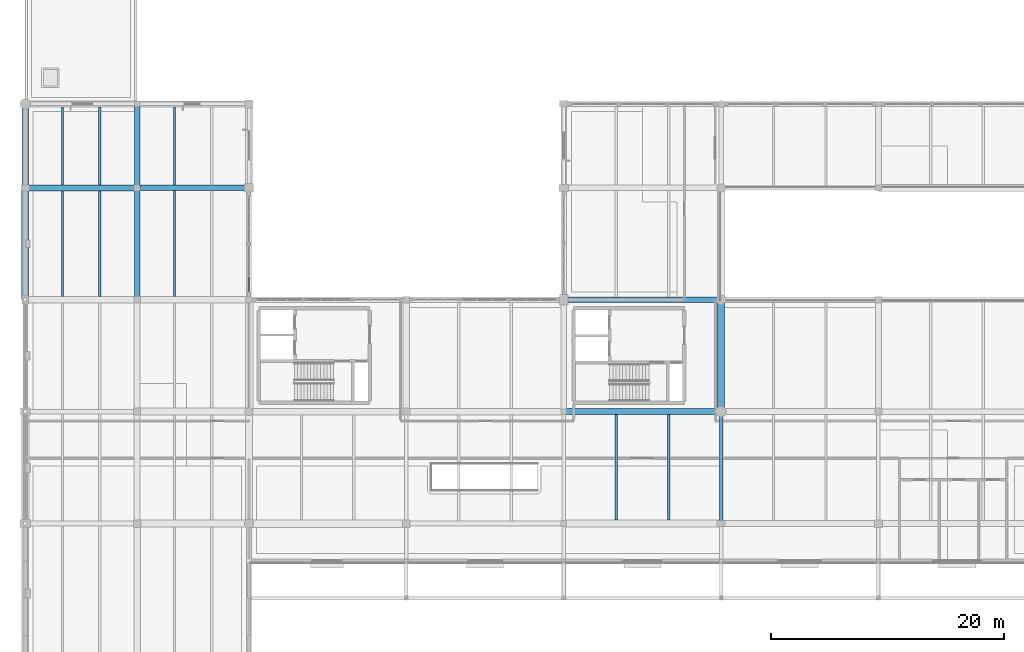
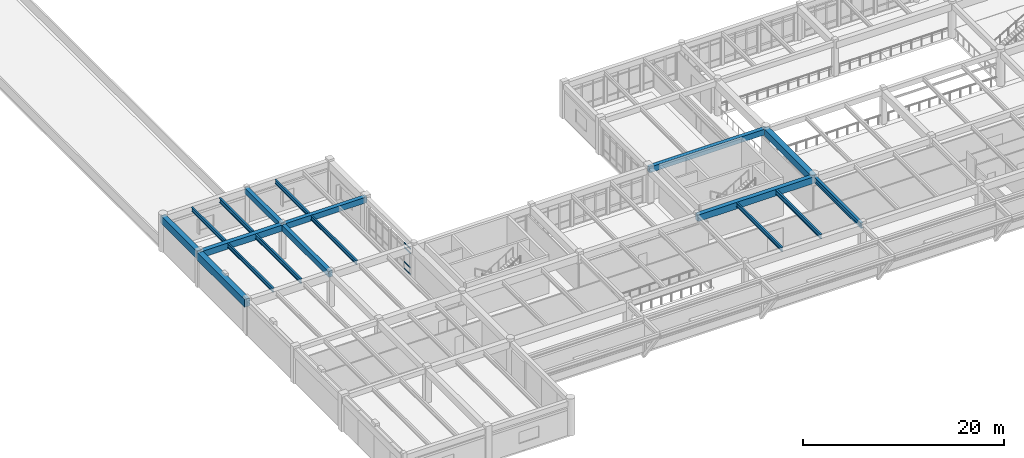
# One storey, part 11 of 109: 18 beams, 4 members, 1 element without a shape of its own.
"""IFC4 building model written with IfcOpenShell, lengths in metres."""

from ifc_helpers import new_model, si_unit, direction, frame, origin, origin_2d, place, context, subcontext, project, spatial, rectangle, hollow_rectangle, i_section, extrude, material, layer, layer_set, material_profile, profile_set, type_object, element, aggregate, save


model = new_model("IFC4")

# Units and contexts
model_context = context("Model", 3, precision=1e-05, world=origin(), true_north=direction((0.0, 1.0)))
body_context = subcontext(model_context, "Body", "Model", "MODEL_VIEW")
ifc_project = project(units=[si_unit("LENGTHUNIT", "METRE"), si_unit("AREAUNIT", "SQUARE_METRE"), si_unit("VOLUMEUNIT", "CUBIC_METRE"), si_unit("PLANEANGLEUNIT", "RADIAN"), si_unit("MASSUNIT", "GRAM", prefix="KILO")], contexts=[model_context])

# Site, building, storey
site_placement = place(None, origin())
site = spatial("IfcSite", under=ifc_project, at=site_placement, CompositionType="ELEMENT")
building_placement = place(site_placement, origin())
building = spatial("IfcBuilding", under=site, at=building_placement, Name="Fikremerkos Civic Library", CompositionType="ELEMENT")
storey_placement = place(building_placement, frame((0.0, 0.0, 5.39990234375)))
storey = spatial("IfcBuildingStorey", under=building, at=storey_placement, Name="L01", CompositionType="ELEMENT", Elevation=5.39990234375)

# Curtain wall, members
ifc_material_1 = material(Name="Anodized aluminium Frame", Category="aluminium")
ifc_layer = layer(ifc_material_1, 0.159912109375, Name="Anodized aluminium Frame")
ifc_layer_set = layer_set([ifc_layer], Name="Anodized aluminium Frame")
curtain_wall_type = type_object("IfcCurtainWallType", Name="Unitised curtain wall CW-02 3900x3600", PredefinedType="USERDEFINED", material=ifc_layer_set)
curtain_wall_placement = place(storey_placement, origin())
curtain_wall = element("IfcCurtainWall", 1, at=curtain_wall_placement, inside=storey, type_object=curtain_wall_type, Name="Unitised curtain wall CW-02 L01 #74", ObjectType="UNITISED CURTAIN WALL", PredefinedType="USERDEFINED")
ifc_material_profile_1 = material_profile(ifc_material_1, hollow_rectangle(XDim=0.070068359375, YDim=0.14990234375, WallThickness=0.00439453125, at=origin_2d()), Name="ALU 150x70x4.5")
ifc_profile_set_1 = profile_set([ifc_material_profile_1], Name="Anodized aluminium Frame")
member_type = type_object("IfcMemberType", Name="Curtain transom CWT-01 ALU 150x70x4.5", PredefinedType="USERDEFINED", material=ifc_profile_set_1)
member_1_placement = place(storey_placement, frame((19.199951171875, 33.139404296875, 0.03515625), z_axis=(0.0, -1.0, 0.0), x_axis=(1.0, 0.0, 0.0)))
member_1 = element("IfcMember", 2, at=member_1_placement, type_object=member_type, Name="CW-02 transom 3.1", ObjectType="TRANSOM", PredefinedType="USERDEFINED", context=body_context, shape_type="SweptSolid", body=[
    extrude(hollow_rectangle(XDim=0.070068359375, YDim=0.14990234375, WallThickness=0.00439453125, at=origin_2d()), origin(), (0.0, 0.0, 1.0), 1.2314453125),
])
member_2_placement = place(storey_placement, frame((19.199951171875, 33.139404296875, 0.85009765625), z_axis=(0.0, -1.0, 0.0), x_axis=(1.0, 0.0, 0.0)))
member_2 = element("IfcMember", 3, at=member_2_placement, type_object=member_type, Name="CW-02 transom 3.2", ObjectType="TRANSOM", PredefinedType="USERDEFINED", context=body_context, shape_type="SweptSolid", body=[
    extrude(hollow_rectangle(XDim=0.070068359375, YDim=0.14990234375, WallThickness=0.00439453125, at=origin_2d()), origin(), (0.0, 0.0, 1.0), 1.2314453125),
])
member_3_placement = place(storey_placement, frame((19.199951171875, 33.139404296875, 2.6201171875), z_axis=(0.0, -1.0, 0.0), x_axis=(1.0, 0.0, 0.0)))
member_3 = element("IfcMember", 4, at=member_3_placement, type_object=member_type, Name="CW-02 transom 3.3", ObjectType="TRANSOM", PredefinedType="USERDEFINED", context=body_context, shape_type="SweptSolid", body=[
    extrude(hollow_rectangle(XDim=0.070068359375, YDim=0.14990234375, WallThickness=0.00439453125, at=origin_2d()), origin(), (0.0, 0.0, 1.0), 1.2314453125),
])
member_4_placement = place(storey_placement, frame((19.199951171875, 33.139404296875, 3.135009765625), z_axis=(0.0, -1.0, 0.0), x_axis=(1.0, 0.0, 0.0)))
member_4 = element("IfcMember", 5, at=member_4_placement, type_object=member_type, Name="CW-02 transom 3.4", ObjectType="TRANSOM", PredefinedType="USERDEFINED", context=body_context, shape_type="SweptSolid", body=[
    extrude(hollow_rectangle(XDim=0.070068359375, YDim=0.14990234375, WallThickness=0.00439453125, at=origin_2d()), origin(), (0.0, 0.0, 1.0), 1.2314453125),
])
aggregate(curtain_wall, [member_1, member_2, member_3, member_4])

# Beams
ifc_material_2 = material(Name="Steel S355", Category="steel")
ifc_material_profile_2 = material_profile(ifc_material_2, i_section(OverallWidth=0.2099609375, OverallDepth=0.550048828125, WebThickness=0.010986328125, FlangeThickness=0.01708984375, FilletRadius=0.02392578125, at=origin_2d()), Name="IPE 550")
ifc_profile_set_2 = profile_set([ifc_material_profile_2], Name="Steel S355")
beam_type_1 = type_object("IfcBeamType", Name="Floor joist JS-05 IPE 550", PredefinedType="JOIST", material=ifc_profile_set_2)
beam_1_placement = place(storey_placement, frame((6.39990234375, 31.47509765625, 3.945068359375), z_axis=(0.0, 1.0, 0.0), x_axis=(-1.0, 0.0, 0.0)))
element("IfcBeam", 6, at=beam_1_placement, inside=storey, type_object=beam_type_1, Name="Floor joist JS-05 L01 #399", PredefinedType="JOIST", context=body_context, shape_type="SweptSolid", body=[
    extrude(i_section(OverallWidth=0.2099609375, OverallDepth=0.550048828125, WebThickness=0.010986328125, FlangeThickness=0.01708984375, FilletRadius=0.02392578125, at=origin_2d()), origin(), (0.0, 0.0, 1.0), 9.074951171875),
])
beam_2_placement = place(storey_placement, frame((6.39990234375, 41.050048828125, 3.985107421875), z_axis=(0.0, 1.0, 0.0), x_axis=(-1.0, 0.0, 0.0)))
element("IfcBeam", 7, at=beam_2_placement, inside=storey, type_object=beam_type_1, Name="Floor joist JS-05 L01 #401", PredefinedType="JOIST", context=body_context, shape_type="SweptSolid", body=[
    extrude(i_section(OverallWidth=0.2099609375, OverallDepth=0.550048828125, WebThickness=0.010986328125, FlangeThickness=0.01708984375, FilletRadius=0.02392578125, at=origin_2d()), origin(), (0.0, 0.0, 1.0), 6.699951171875),
])
beam_3_placement = place(storey_placement, frame((55.199951171875, 12.300048828125, 3.905029296875), z_axis=(0.0, 1.0, 0.0), x_axis=(-1.0, 0.0, 0.0)))
element("IfcBeam", 8, at=beam_3_placement, inside=storey, type_object=beam_type_1, Name="Floor joist JS-05 L01 #419", PredefinedType="JOIST", context=body_context, shape_type="SweptSolid", body=[
    extrude(i_section(OverallWidth=0.2099609375, OverallDepth=0.550048828125, WebThickness=0.010986328125, FlangeThickness=0.01708984375, FilletRadius=0.02392578125, at=origin_2d()), origin(), (0.0, 0.0, 1.0), 9.050048828125),
])
ifc_material_profile_3 = material_profile(ifc_material_2, i_section(OverallWidth=0.199951171875, OverallDepth=0.5, WebThickness=0.01025390625, FlangeThickness=0.01611328125, FilletRadius=0.02099609375, at=origin_2d()), Name="IPE 500")
ifc_profile_set_3 = profile_set([ifc_material_profile_3], Name="Steel S355")
beam_type_2 = type_object("IfcBeamType", Name="Floor joist JS-06 IPE 500", PredefinedType="JOIST", material=ifc_profile_set_3)
beam_4_placement = place(storey_placement, frame((3.199951171875, 31.47509765625, 3.97021484375), z_axis=(0.0, 1.0, 0.0), x_axis=(-1.0, 0.0, 0.0)))
element("IfcBeam", 9, at=beam_4_placement, inside=storey, type_object=beam_type_2, Name="Floor joist JS-06 L01 #398", PredefinedType="JOIST", context=body_context, shape_type="SweptSolid", body=[
    extrude(i_section(OverallWidth=0.199951171875, OverallDepth=0.5, WebThickness=0.01025390625, FlangeThickness=0.01611328125, FilletRadius=0.02099609375, at=origin_2d()), origin(), (0.0, 0.0, 1.0), 9.074951171875),
])
beam_5_placement = place(storey_placement, frame((3.199951171875, 41.050048828125, 4.010009765625), z_axis=(0.0, 1.0, 0.0), x_axis=(-1.0, 0.0, 0.0)))
element("IfcBeam", 10, at=beam_5_placement, inside=storey, type_object=beam_type_2, Name="Floor joist JS-06 L01 #400", PredefinedType="JOIST", context=body_context, shape_type="SweptSolid", body=[
    extrude(i_section(OverallWidth=0.199951171875, OverallDepth=0.5, WebThickness=0.01025390625, FlangeThickness=0.01611328125, FilletRadius=0.02099609375, at=origin_2d()), origin(), (0.0, 0.0, 1.0), 6.699951171875),
])
beam_6_placement = place(storey_placement, frame((12.800048828125, 31.47509765625, 3.97021484375), z_axis=(0.0, 1.0, 0.0), x_axis=(-1.0, 0.0, 0.0)))
element("IfcBeam", 11, at=beam_6_placement, inside=storey, type_object=beam_type_2, Name="Floor joist JS-06 L01 #408", PredefinedType="JOIST", context=body_context, shape_type="SweptSolid", body=[
    extrude(i_section(OverallWidth=0.199951171875, OverallDepth=0.5, WebThickness=0.01025390625, FlangeThickness=0.01611328125, FilletRadius=0.02099609375, at=origin_2d()), origin(), (0.0, 0.0, 1.0), 9.099853515625),
])
beam_7_placement = place(storey_placement, frame((12.800048828125, 41.02490234375, 4.010009765625), z_axis=(0.0, 1.0, 0.0), x_axis=(-1.0, 0.0, 0.0)))
element("IfcBeam", 12, at=beam_7_placement, inside=storey, type_object=beam_type_2, Name="Floor joist JS-06 L01 #410", PredefinedType="JOIST", context=body_context, shape_type="SweptSolid", body=[
    extrude(i_section(OverallWidth=0.199951171875, OverallDepth=0.5, WebThickness=0.01025390625, FlangeThickness=0.01611328125, FilletRadius=0.02099609375, at=origin_2d()), origin(), (0.0, 0.0, 1.0), 6.72509765625),
])
beam_8_placement = place(storey_placement, frame((50.699951171875, 12.300048828125, 3.93017578125), z_axis=(0.0, 1.0, 0.0), x_axis=(-1.0, 0.0, 0.0)))
element("IfcBeam", 13, at=beam_8_placement, inside=storey, type_object=beam_type_2, Name="Floor joist JS-06 L01 #418", PredefinedType="JOIST", context=body_context, shape_type="SweptSolid", body=[
    extrude(i_section(OverallWidth=0.199951171875, OverallDepth=0.5, WebThickness=0.01025390625, FlangeThickness=0.01611328125, FilletRadius=0.02099609375, at=origin_2d()), origin(), (0.0, 0.0, 1.0), 9.050048828125),
])
ifc_material_3 = material(Name="Concrete C40/50", Category="concrete")
ifc_material_profile_4 = material_profile(ifc_material_3, rectangle(XDim=0.60009765625, YDim=0.949951171875, at=origin_2d()), Name="RC 600x950")
ifc_profile_set_4 = profile_set([ifc_material_profile_4], Name="Concrete C40/50")
beam_type_3 = type_object("IfcBeamType", Name="Primary girder BM-01 RC 600x950", PredefinedType="BEAM", material=ifc_profile_set_4)
beam_9_placement = place(storey_placement, frame((0.0, 31.199951171875, 3.7451171875), z_axis=(0.0, 1.0, 0.0), x_axis=(-1.0, 0.0, 0.0)))
element("IfcBeam", 14, at=beam_9_placement, inside=storey, type_object=beam_type_3, Name="Primary girder BM-01 L01 grid 1", PredefinedType="BEAM", context=body_context, shape_type="SweptSolid", body=[
    extrude(rectangle(XDim=0.60009765625, YDim=0.949951171875, at=origin_2d()), origin(), (0.0, 0.0, 1.0), 9.60009765625),
])
ifc_material_profile_5 = material_profile(ifc_material_3, rectangle(XDim=0.550048828125, YDim=0.89990234375, at=origin_2d()), Name="RC 550x900")
ifc_profile_set_5 = profile_set([ifc_material_profile_5], Name="Concrete C40/50")
beam_type_4 = type_object("IfcBeamType", Name="Primary girder BM-02 RC 550x900", PredefinedType="BEAM", material=ifc_profile_set_5)
beam_10_placement = place(storey_placement, frame((0.0, 40.800048828125, 3.81005859375), z_axis=(0.0, 1.0, 0.0), x_axis=(-1.0, 0.0, 0.0)))
element("IfcBeam", 15, at=beam_10_placement, inside=storey, type_object=beam_type_4, Name="Primary girder BM-02 L01 grid 1", PredefinedType="BEAM", context=body_context, shape_type="SweptSolid", body=[
    extrude(rectangle(XDim=0.550048828125, YDim=0.89990234375, at=origin_2d()), origin(), (0.0, 0.0, 1.0), 7.199951171875),
])
ifc_material_profile_6 = material_profile(ifc_material_3, rectangle(XDim=0.5, YDim=0.800048828125, at=origin_2d()), Name="RC 500x800")
ifc_profile_set_6 = profile_set([ifc_material_profile_6], Name="Concrete C40/50")
beam_type_5 = type_object("IfcBeamType", Name="Primary girder BM-04 RC 500x800", PredefinedType="BEAM", material=ifc_profile_set_6)
beam_11_placement = place(storey_placement, frame((46.199951171875, 21.60009765625, 3.780029296875), z_axis=(1.0, 0.0, 0.0), x_axis=(0.0, 1.0, 0.0)))
element("IfcBeam", 16, at=beam_11_placement, inside=storey, type_object=beam_type_5, Name="Primary girder BM-04 L01 grid F", PredefinedType="BEAM", context=body_context, shape_type="SweptSolid", body=[
    extrude(rectangle(XDim=0.5, YDim=0.800048828125, at=origin_2d()), origin(), (0.0, 0.0, 1.0), 13.5),
])
ifc_material_profile_7 = material_profile(ifc_material_3, rectangle(XDim=0.5, YDim=0.75, at=origin_2d()), Name="RC 500x750")
ifc_profile_set_7 = profile_set([ifc_material_profile_7], Name="Concrete C40/50")
beam_type_6 = type_object("IfcBeamType", Name="Primary girder BM-05 RC 500x750", PredefinedType="BEAM", material=ifc_profile_set_7)
beam_12_placement = place(storey_placement, frame((0.0, 40.800048828125, 3.84521484375), z_axis=(1.0, 0.0, 0.0), x_axis=(0.0, 1.0, 0.0)))
element("IfcBeam", 17, at=beam_12_placement, inside=storey, type_object=beam_type_6, Name="Primary girder BM-05 L01 grid H", PredefinedType="BEAM", context=body_context, shape_type="SweptSolid", body=[
    extrude(rectangle(XDim=0.5, YDim=0.75, at=origin_2d()), origin(), (0.0, 0.0, 1.0), 9.60009765625),
])
ifc_material_profile_8 = material_profile(ifc_material_3, rectangle(XDim=0.449951171875, YDim=0.699951171875, at=origin_2d()), Name="RC 450x700")
ifc_profile_set_8 = profile_set([ifc_material_profile_8], Name="Concrete C40/50")
beam_type_7 = type_object("IfcBeamType", Name="Primary girder BM-06 RC 450x700", PredefinedType="BEAM", material=ifc_profile_set_8)
beam_13_placement = place(storey_placement, frame((46.199951171875, 31.199951171875, 3.830078125), z_axis=(1.0, 0.0, 0.0), x_axis=(0.0, 1.0, 0.0)))
element("IfcBeam", 18, at=beam_13_placement, inside=storey, type_object=beam_type_7, Name="Primary girder BM-06 L01 grid G", PredefinedType="BEAM", context=body_context, shape_type="SweptSolid", body=[
    extrude(rectangle(XDim=0.449951171875, YDim=0.699951171875, at=origin_2d()), origin(), (0.0, 0.0, 1.0), 13.5),
])
beam_14_placement = place(storey_placement, frame((9.60009765625, 40.800048828125, 3.8701171875), z_axis=(1.0, 0.0, 0.0), x_axis=(0.0, 1.0, 0.0)))
element("IfcBeam", 19, at=beam_14_placement, inside=storey, type_object=beam_type_7, Name="Primary girder BM-06 L01 grid H", PredefinedType="BEAM", context=body_context, shape_type="SweptSolid", body=[
    extrude(rectangle(XDim=0.449951171875, YDim=0.699951171875, at=origin_2d()), origin(), (0.0, 0.0, 1.0), 9.599853515625),
])
beam_15_placement = place(storey_placement, frame((9.60009765625, 31.199951171875, 3.8701171875), z_axis=(0.0, 1.0, 0.0), x_axis=(-1.0, 0.0, 0.0)))
element("IfcBeam", 20, at=beam_15_placement, inside=storey, type_object=beam_type_7, Name="Primary girder BM-06 L01 grid 2", PredefinedType="BEAM", context=body_context, shape_type="SweptSolid", body=[
    extrude(rectangle(XDim=0.449951171875, YDim=0.699951171875, at=origin_2d()), origin(), (0.0, 0.0, 1.0), 9.60009765625),
])
ifc_material_profile_9 = material_profile(ifc_material_3, rectangle(XDim=0.449951171875, YDim=0.64990234375, at=origin_2d()), Name="RC 450x650")
ifc_profile_set_9 = profile_set([ifc_material_profile_9], Name="Concrete C40/50")
beam_type_8 = type_object("IfcBeamType", Name="Primary girder BM-07 RC 450x650", PredefinedType="BEAM", material=ifc_profile_set_9)
beam_16_placement = place(storey_placement, frame((9.60009765625, 40.800048828125, 3.93505859375), z_axis=(0.0, 1.0, 0.0), x_axis=(-1.0, 0.0, 0.0)))
element("IfcBeam", 21, at=beam_16_placement, inside=storey, type_object=beam_type_8, Name="Primary girder BM-07 L01 grid 2", PredefinedType="BEAM", context=body_context, shape_type="SweptSolid", body=[
    extrude(rectangle(XDim=0.449951171875, YDim=0.64990234375, at=origin_2d()), origin(), (0.0, 0.0, 1.0), 7.199951171875),
])
ifc_material_profile_10 = material_profile(ifc_material_2, i_section(OverallWidth=0.300048828125, OverallDepth=0.64990234375, WebThickness=0.01611328125, FlangeThickness=0.031005859375, FilletRadius=0.027099609375, at=origin_2d()), Name="HEB 650")
ifc_profile_set_10 = profile_set([ifc_material_profile_10], Name="Steel S355")
beam_type_9 = type_object("IfcBeamType", Name="Primary girder BM-12 HEB 650", PredefinedType="BEAM", material=ifc_profile_set_10)
beam_17_placement = place(storey_placement, frame((59.699951171875, 12.0, 3.85498046875), z_axis=(0.0, 1.0, 0.0), x_axis=(-1.0, 0.0, 0.0)))
element("IfcBeam", 22, at=beam_17_placement, inside=storey, type_object=beam_type_9, Name="Primary girder BM-12 L01 grid 6", PredefinedType="BEAM", context=body_context, shape_type="SweptSolid", body=[
    extrude(i_section(OverallWidth=0.300048828125, OverallDepth=0.64990234375, WebThickness=0.01611328125, FlangeThickness=0.031005859375, FilletRadius=0.027099609375, at=origin_2d()), origin(), (0.0, 0.0, 1.0), 9.60009765625),
])
ifc_material_profile_11 = material_profile(ifc_material_3, rectangle(XDim=0.60009765625, YDim=0.85009765625, at=origin_2d()), Name="RC 600x850")
ifc_profile_set_11 = profile_set([ifc_material_profile_11], Name="Concrete C40/50")
beam_type_10 = type_object("IfcBeamType", Name="Primary girder BM-24 RC 600x850", PredefinedType="BEAM", material=ifc_profile_set_11)
beam_18_placement = place(storey_placement, frame((59.699951171875, 21.60009765625, 3.755126953125), z_axis=(0.0, 1.0, 0.0), x_axis=(-1.0, 0.0, 0.0)))
element("IfcBeam", 23, at=beam_18_placement, inside=storey, type_object=beam_type_10, Name="Primary girder BM-24 L01 grid 6", PredefinedType="BEAM", context=body_context, shape_type="SweptSolid", body=[
    extrude(rectangle(XDim=0.60009765625, YDim=0.85009765625, at=origin_2d()), origin(), (0.0, 0.0, 1.0), 9.599853515625),
])

save(model, "model.ifc")
